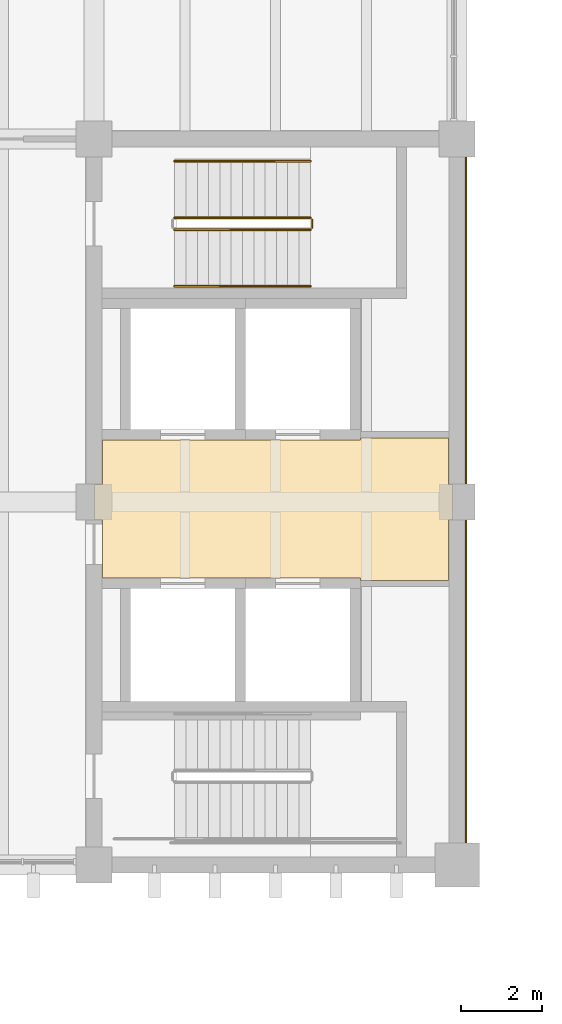
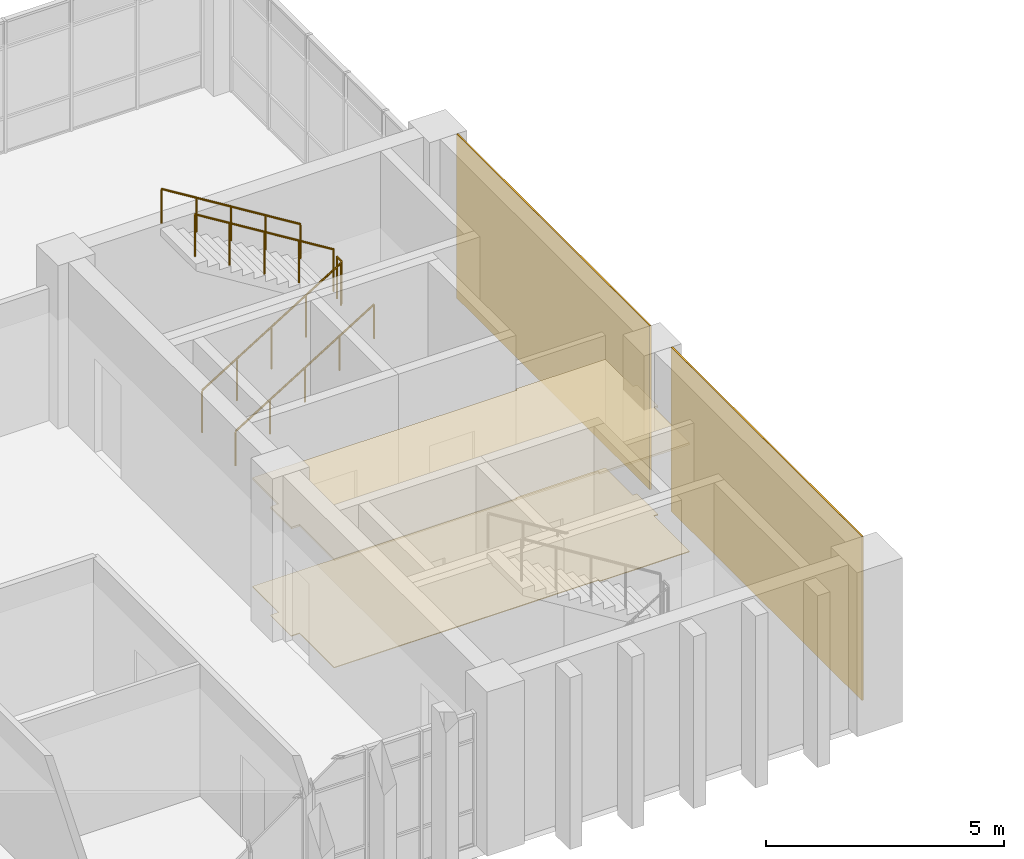
# One storey, part 90 of 92: 5 railings, 4 coverings.
"""IFC4 building model written with IfcOpenShell, lengths in metres."""

from ifc_helpers import new_model, si_unit, direction, frame, origin, origin_2d, place, context, subcontext, project, spatial, polyline, rectangle, circle, outline, extrude, material, layer, layer_set, type_object, element, save


model = new_model("IFC4")

# Units and contexts
model_context = context("Model", 3, precision=1e-05, world=origin(), true_north=direction((0.0, 1.0)))
body_context = subcontext(model_context, "Body", "Model", "MODEL_VIEW")
ifc_project = project(units=[si_unit("LENGTHUNIT", "METRE"), si_unit("AREAUNIT", "SQUARE_METRE"), si_unit("VOLUMEUNIT", "CUBIC_METRE"), si_unit("PLANEANGLEUNIT", "RADIAN"), si_unit("MASSUNIT", "GRAM", prefix="KILO")], contexts=[model_context])

# Site, building, storey
site_placement = place(None, origin())
site = spatial("IfcSite", under=ifc_project, at=site_placement, CompositionType="ELEMENT")
building_placement = place(site_placement, origin())
building = spatial("IfcBuilding", under=site, at=building_placement, Name="Merrow Basin Faculty of Sciences", CompositionType="ELEMENT")
storey_placement = place(building_placement, frame((0.0, 0.0, 4.5)))
storey = spatial("IfcBuildingStorey", under=building, at=storey_placement, Name="L01", CompositionType="ELEMENT", Elevation=4.5)

# Covering
ifc_material_1 = material(Name="Polished terrazzo floor")
ifc_layer_1 = layer(ifc_material_1, 0.02001953125)
ifc_layer_set_1 = layer_set([ifc_layer_1], Name="Polished terrazzo floor")
covering_type_1 = type_object("IfcCoveringType", Name="Polished terrazzo floor", PredefinedType="FLOORING", material=ifc_layer_set_1)
covering_1_placement = place(storey_placement, origin())
element("IfcCovering", 1, at=covering_1_placement, inside=storey, type_object=covering_type_1, Name="Floor finish L01-T-007", PredefinedType="FLOORING", context=body_context, shape_type="SweptSolid", body=[
    extrude(outline(polyline([(45.010009765625, 151.43994140625), (45.2099609375, 151.43994140625), (45.2099609375, 152.5400390625), (51.610107421875, 152.5400390625), (51.610107421875, 152.590087890625), (53.7900390625, 152.590087890625), (53.7900390625, 151.43994140625), (53.889892578125, 151.43994140625), (53.889892578125, 150.56005859375), (53.7900390625, 150.56005859375), (53.7900390625, 149.06005859375), (51.610107421875, 149.06005859375), (51.610107421875, 149.110107421875), (45.2099609375, 149.110107421875), (45.2099609375, 150.56005859375), (45.010009765625, 150.56005859375), (45.010009765625, 151.43994140625)])), origin(), (0.0, 0.0, 1.0), 0.02001953125),
])

# Railings
ifc_material_2 = material(Name="Steel ASTM A36", Category="steel")
railing_type_1 = type_object("IfcRailingType", Name="Steel guard 1100", PredefinedType="GUARDRAIL", material=ifc_material_2)
railing_1_placement = place(storey_placement, frame((47.0, 157.75, 0.173095703125)))
element("IfcRailing", 2, at=railing_1_placement, inside=storey, type_object=railing_type_1, Name="L01 ST-V5-S stair guard 1", PredefinedType="GUARDRAIL", context=body_context, shape_type="SweptSolid", body=[
    extrude(circle(Radius=0.02392578125, at=origin_2d()), frame((0.0, 0.0, 1.076171875), z_axis=(0.850623216509, 0.0, 0.525775754039), x_axis=(0.0, 1.0, 0.0)), (0.0, 0.0, 1.0), 3.9501953125),
    extrude(circle(Radius=0.02099609375, at=origin_2d()), origin(), (0.0, 0.0, 1.0), 1.052001953125),
    extrude(circle(Radius=0.02099609375, at=origin_2d()), frame((0.840087890625, 0.0, 0.519287109375)), (0.0, 0.0, 1.0), 1.052001953125),
    extrude(circle(Radius=0.02099609375, at=origin_2d()), frame((1.68017578125, 0.0, 1.03857421875)), (0.0, 0.0, 1.0), 1.052001953125),
    extrude(circle(Radius=0.02099609375, at=origin_2d()), frame((2.52001953125, 0.0, 1.5576171875)), (0.0, 0.0, 1.0), 1.052001953125),
    extrude(circle(Radius=0.02099609375, at=origin_2d()), frame((3.360107421875, 0.0, 2.076904296875)), (0.0, 0.0, 1.0), 1.052001953125),
])
railing_2_placement = place(storey_placement, frame((50.409912109375, 157.800048828125, 2.25)))
element("IfcRailing", 3, at=railing_2_placement, inside=storey, type_object=railing_type_1, Name="L01 ST-V5-S stair guard 2", PredefinedType="GUARDRAIL", context=body_context, shape_type="SweptSolid", body=[
    extrude(circle(Radius=0.02392578125, at=origin_2d()), frame((0.0, 0.0, 1.076171875), z_axis=(0.0, 1.0, 0.0), x_axis=(-1.0, 0.0, 0.0)), (0.0, 0.0, 1.0), 0.199951171875),
    extrude(circle(Radius=0.02099609375, at=origin_2d()), origin(), (0.0, 0.0, 1.0), 1.052001953125),
    extrude(circle(Radius=0.02099609375, at=origin_2d()), frame((0.0, 0.199951171875, 0.0)), (0.0, 0.0, 1.0), 1.052001953125),
])
railing_3_placement = place(storey_placement, frame((50.360107421875, 158.050048828125, 2.423095703125)))
element("IfcRailing", 4, at=railing_3_placement, inside=storey, type_object=railing_type_1, Name="L01 ST-V5-S stair guard 3", PredefinedType="GUARDRAIL", context=body_context, shape_type="SweptSolid", body=[
    extrude(circle(Radius=0.02392578125, at=origin_2d()), frame((0.0, 0.0, 1.076171875), z_axis=(-0.850623216509, 0.0, 0.525775754039), x_axis=(0.0, -1.0, 0.0)), (0.0, 0.0, 1.0), 3.9501953125),
    extrude(circle(Radius=0.02099609375, at=origin_2d()), origin(), (0.0, 0.0, 1.0), 1.052001953125),
    extrude(circle(Radius=0.02099609375, at=origin_2d()), frame((-0.840087890625, 0.0, 0.519287109375)), (0.0, 0.0, 1.0), 1.052001953125),
    extrude(circle(Radius=0.02099609375, at=origin_2d()), frame((-1.68017578125, 0.0, 1.03857421875)), (0.0, 0.0, 1.0), 1.052001953125),
    extrude(circle(Radius=0.02099609375, at=origin_2d()), frame((-2.52001953125, 0.0, 1.5576171875)), (0.0, 0.0, 1.0), 1.052001953125),
    extrude(circle(Radius=0.02099609375, at=origin_2d()), frame((-3.360107421875, 0.0, 2.076904296875)), (0.0, 0.0, 1.0), 1.052001953125),
])
ifc_material_3 = material(Name="Steel ASTM A36", Category="steel")
railing_type_2 = type_object("IfcRailingType", Name="Steel handrail 900", PredefinedType="HANDRAIL", material=ifc_material_3)
railing_4_placement = place(storey_placement, frame((47.0, 156.35009765625, 0.173095703125)))
element("IfcRailing", 5, at=railing_4_placement, inside=storey, type_object=railing_type_2, Name="L01 ST-V5-S stair handrail 1", PredefinedType="HANDRAIL", context=body_context, shape_type="SweptSolid", body=[
    extrude(circle(Radius=0.02392578125, at=origin_2d()), frame((0.0, 0.0, 0.8759765625), z_axis=(0.850623216509, 0.0, 0.525775754039), x_axis=(0.0, 1.0, 0.0)), (0.0, 0.0, 1.0), 3.9501953125),
    extrude(circle(Radius=0.02099609375, at=origin_2d()), origin(), (0.0, 0.0, 1.0), 0.851806640625),
    extrude(circle(Radius=0.02099609375, at=origin_2d()), frame((0.840087890625, 0.0, 0.519287109375)), (0.0, 0.0, 1.0), 0.851806640625),
    extrude(circle(Radius=0.02099609375, at=origin_2d()), frame((1.68017578125, 0.0, 1.03857421875)), (0.0, 0.0, 1.0), 0.851806640625),
    extrude(circle(Radius=0.02099609375, at=origin_2d()), frame((2.52001953125, 0.0, 1.5576171875)), (0.0, 0.0, 1.0), 0.851806640625),
    extrude(circle(Radius=0.02099609375, at=origin_2d()), frame((3.360107421875, 0.0, 2.076904296875)), (0.0, 0.0, 1.0), 0.851806640625),
])
railing_5_placement = place(storey_placement, frame((50.360107421875, 159.449951171875, 2.423095703125)))
element("IfcRailing", 6, at=railing_5_placement, inside=storey, type_object=railing_type_2, Name="L01 ST-V5-S stair handrail 2", PredefinedType="HANDRAIL", context=body_context, shape_type="SweptSolid", body=[
    extrude(circle(Radius=0.02392578125, at=origin_2d()), frame((0.0, 0.0, 0.8759765625), z_axis=(-0.850623216509, 0.0, 0.525775754039), x_axis=(0.0, -1.0, 0.0)), (0.0, 0.0, 1.0), 3.9501953125),
    extrude(circle(Radius=0.02099609375, at=origin_2d()), origin(), (0.0, 0.0, 1.0), 0.851806640625),
    extrude(circle(Radius=0.02099609375, at=origin_2d()), frame((-0.840087890625, 0.0, 0.519287109375)), (0.0, 0.0, 1.0), 0.851806640625),
    extrude(circle(Radius=0.02099609375, at=origin_2d()), frame((-1.68017578125, 0.0, 1.03857421875)), (0.0, 0.0, 1.0), 0.851806640625),
    extrude(circle(Radius=0.02099609375, at=origin_2d()), frame((-2.52001953125, 0.0, 1.5576171875)), (0.0, 0.0, 1.0), 0.851806640625),
    extrude(circle(Radius=0.02099609375, at=origin_2d()), frame((-3.360107421875, 0.0, 2.076904296875)), (0.0, 0.0, 1.0), 0.851806640625),
])

# Coverings
ifc_material_4 = material(Name="Mineral fibre ceiling tile")
ifc_layer_2 = layer(ifc_material_4, 0.050048828125)
ifc_layer_set_2 = layer_set([ifc_layer_2], Name="Suspended acoustic ceiling tile")
covering_type_2 = type_object("IfcCoveringType", Name="Suspended acoustic ceiling tile", PredefinedType="CEILING", material=ifc_layer_set_2)
covering_2_placement = place(storey_placement, frame((0.0, 0.0, 2.75)))
element("IfcCovering", 7, at=covering_2_placement, inside=storey, type_object=covering_type_2, Name="Ceiling L01-T-007", PredefinedType="CEILING", context=body_context, shape_type="SweptSolid", body=[
    extrude(outline(polyline([(45.010009765625, 151.43994140625), (45.2099609375, 151.43994140625), (45.2099609375, 152.5400390625), (51.610107421875, 152.5400390625), (51.610107421875, 152.590087890625), (53.7900390625, 152.590087890625), (53.7900390625, 151.43994140625), (53.889892578125, 151.43994140625), (53.889892578125, 150.56005859375), (53.7900390625, 150.56005859375), (53.7900390625, 149.06005859375), (51.610107421875, 149.06005859375), (51.610107421875, 149.110107421875), (45.2099609375, 149.110107421875), (45.2099609375, 150.56005859375), (45.010009765625, 150.56005859375), (45.010009765625, 151.43994140625)])), origin(), (0.0, 0.0, 1.0), 0.050048828125),
])
ifc_material_5 = material(Name="White powder-coated aluminium", Category="aluminium")
ifc_layer_3 = layer(ifc_material_5, 0.0400390625)
ifc_layer_set_3 = layer_set([ifc_layer_3], Name="White precast cladding 40")
covering_type_3 = type_object("IfcCoveringType", Name="White precast cladding 40", PredefinedType="CLADDING", material=ifc_layer_set_3)
covering_3_placement = place(storey_placement, frame((54.219970703125, 155.5, 0.0), z_axis=(0.0, 0.0, 1.0), x_axis=(1.0, 0.0, 0.0)))
element("IfcCovering", 8, at=covering_3_placement, inside=storey, type_object=covering_type_3, Name="White core cladding", PredefinedType="CLADDING", context=body_context, shape_type="SweptSolid", body=[
    extrude(rectangle(XDim=0.0400390625, YDim=8.10009765625, at=origin_2d()), origin(), (0.0, 0.0, 1.0), 4.199951171875),
])
covering_4_placement = place(storey_placement, frame((54.219970703125, 146.550048828125, 0.0), z_axis=(0.0, 0.0, 1.0), x_axis=(1.0, 0.0, 0.0)))
element("IfcCovering", 9, at=covering_4_placement, inside=storey, type_object=covering_type_3, Name="White core cladding", PredefinedType="CLADDING", context=body_context, shape_type="SweptSolid", body=[
    extrude(rectangle(XDim=0.0400390625, YDim=8.0, at=origin_2d()), origin(), (0.0, 0.0, 1.0), 4.199951171875),
])

save(model, "model.ifc")
